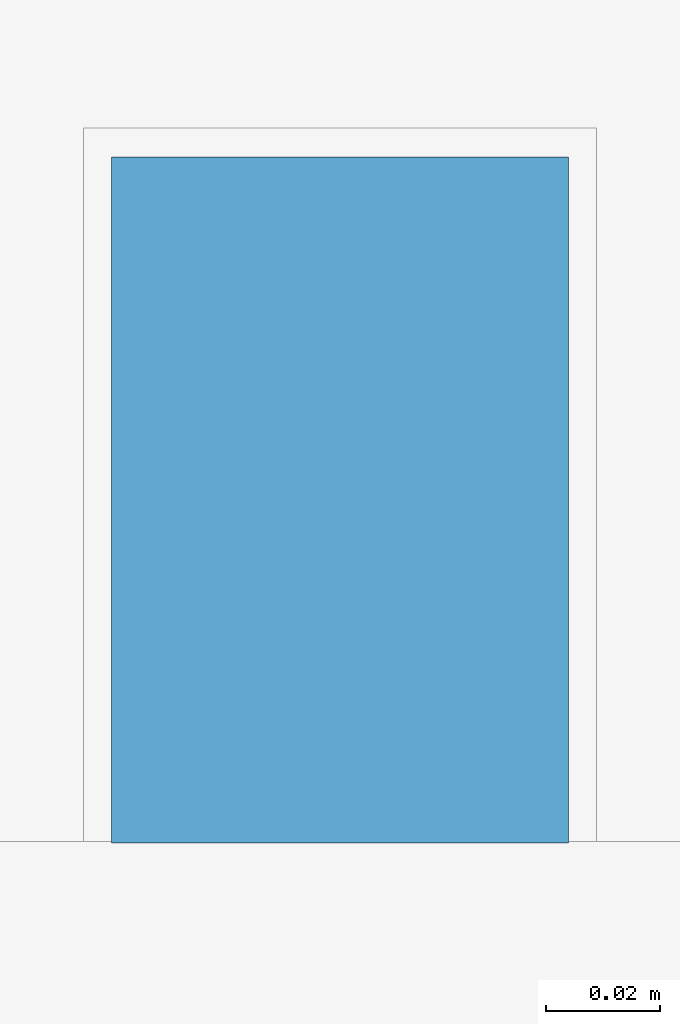
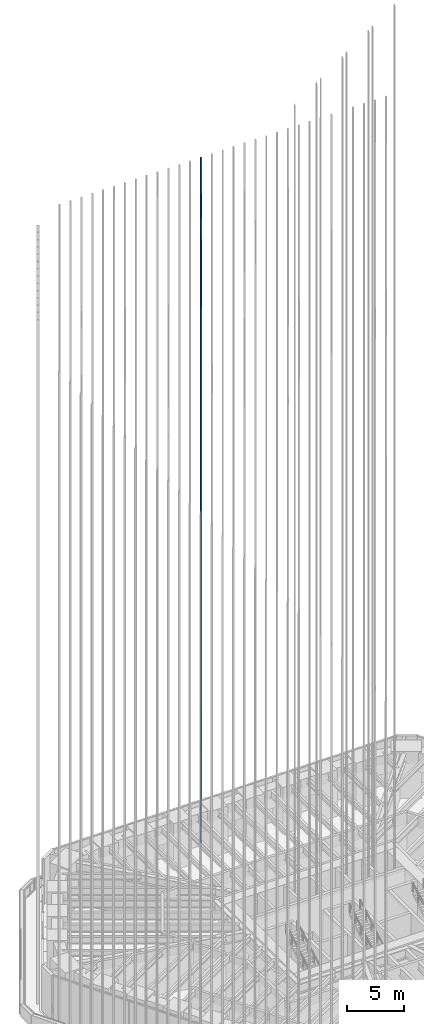
# One storey, part 171 of 228: 1 member, 1 element without a shape of its own.
"""IFC4 building model written with IfcOpenShell, lengths in metres."""

import ifcopenshell
import ifcopenshell.guid

model = None  # the IFC model being written
_history = None  # IfcOwnerHistory: only IFC2X3 demands one
_inside = {}  # id of a spatial element -> (the spatial element, [elements in it])
_under = {}  # id of a project, library or spatial element -> (it, [spatial elements below it])
_declared = {}  # id of a project -> (the project, [libraries it declares])
_typed = {}  # id of a type object -> (the type object, [elements of that type])
_made_of = {}  # id of a material, layer set ... -> (it, [elements and type objects made of it])


def new_model(schema):
    """Start an empty IFC model of exactly this schema.

    Asked for "IFC4X3", IfcOpenShell would pick the latest addendum, in which some entities
    have other attributes; the version numbers below select the first issue.
    IFC2X3 requires an IfcOwnerHistory on every rooted entity: one is made here for all.
    """
    global model, _history
    if schema == "IFC4X3":
        model = ifcopenshell.file(schema_version=(4, 3, 0, 0))
    else:
        model = ifcopenshell.file(schema=schema)
    _inside.clear()
    _under.clear()
    _declared.clear()
    _typed.clear()
    _made_of.clear()
    _history = None
    if model.schema == "IFC2X3":
        org = make("IfcOrganization", Name="unknown")
        user = make(
            "IfcPersonAndOrganization",
            ThePerson=make("IfcPerson", FamilyName="unknown"),
            TheOrganization=org,
        )
        app = make(
            "IfcApplication",
            ApplicationDeveloper=org,
            Version="unknown",
            ApplicationFullName="unknown",
            ApplicationIdentifier="unknown",
        )
        _history = make(
            "IfcOwnerHistory",
            OwningUser=user,
            OwningApplication=app,
            ChangeAction="ADDED",
            CreationDate=0,
        )
    return model


def make(cls, **values):
    """One entity of the class cls with the attributes given. An attribute that is None is left unset."""
    return model.create_entity(
        cls, **{name: value for name, value in values.items() if value is not None}
    )


def rooted(cls, **values):
    """An entity with a GlobalId (a new one), such as an element, a storey or a relation."""
    return make(cls, GlobalId=ifcopenshell.guid.new(), OwnerHistory=_history, **values)


def si_unit(unit_type, name, prefix=None):
    """IfcSIUnit, for example si_unit("LENGTHUNIT", "METRE", prefix="MILLI")."""
    return make("IfcSIUnit", UnitType=unit_type, Prefix=prefix, Name=name)


def assignment(units):
    """IfcUnitAssignment: the units of a project."""
    return None if units is None else make("IfcUnitAssignment", Units=units)


def point(xyz):
    """IfcCartesianPoint."""
    return None if xyz is None else make("IfcCartesianPoint", Coordinates=xyz)


def direction(xyz):
    """IfcDirection."""
    return None if xyz is None else make("IfcDirection", DirectionRatios=xyz)


def frame(location, z_axis=None, x_axis=None):
    """IfcAxis2Placement3D, a coordinate frame: its origin and axes. An axis left out is left unset."""
    return make(
        "IfcAxis2Placement3D",
        Location=point(location),
        Axis=direction(z_axis),
        RefDirection=direction(x_axis),
    )


def frame_2d(location, x_axis=None):
    """IfcAxis2Placement2D, a coordinate frame in the plane: its origin and x axis."""
    return make(
        "IfcAxis2Placement2D", Location=point(location), RefDirection=direction(x_axis)
    )


def origin():
    """The frame at (0, 0, 0) with its axes left unset."""
    return frame((0.0, 0.0, 0.0))


def origin_2d():
    """The frame at (0, 0) in the plane with its x axis left unset."""
    return frame_2d((0.0, 0.0))


def place(relative_to, where):
    """IfcLocalPlacement: puts the frame where relative to a parent placement (None: the world)."""
    return make(
        "IfcLocalPlacement", PlacementRelTo=relative_to, RelativePlacement=where
    )


def context(
    kind, dimensions, precision=None, world=None, true_north=None, identifier=None
):
    """IfcGeometricRepresentationContext, for example the 3D "Model" context."""
    return make(
        "IfcGeometricRepresentationContext",
        ContextIdentifier=identifier,
        ContextType=kind,
        CoordinateSpaceDimension=dimensions,
        Precision=precision,
        WorldCoordinateSystem=world,
        TrueNorth=true_north,
    )


def subcontext(parent, identifier, kind, view, scale=None):
    """IfcGeometricRepresentationSubContext, for example "Body" below "Model"."""
    return make(
        "IfcGeometricRepresentationSubContext",
        ContextIdentifier=identifier,
        ContextType=kind,
        ParentContext=parent,
        TargetScale=scale,
        TargetView=view,
    )


def project(units=None, contexts=None):
    """IfcProject with its units and contexts."""
    return rooted(
        "IfcProject",
        Name="project",
        RepresentationContexts=contexts,
        UnitsInContext=assignment(units),
    )


def spatial(cls, under=None, at=None, **own):
    """A site, building, storey or space (cls), placed at a placement, below another one or the project."""
    s = rooted(cls, ObjectPlacement=at, **own)
    if under is not None:
        _under.setdefault(under.id(), (under, []))[1].append(s)
    return s


def profile(cls, at=None, kind="AREA", **sizes):
    """A parametric profile (cls). Its sizes go by their IFC names, for example OverallWidth=200.0."""
    return make(cls, ProfileType=kind, Position=at, **sizes)


def rectangle(**sizes):
    """IfcRectangleProfileDef."""
    return profile("IfcRectangleProfileDef", **sizes)


def extrude(swept, where, along, depth):
    """IfcExtrudedAreaSolid: the profile swept, set in the frame where, extruded along a direction by depth."""
    return make(
        "IfcExtrudedAreaSolid",
        SweptArea=swept,
        Position=where,
        ExtrudedDirection=direction(along),
        Depth=depth,
    )


def shape(context_of_items, identifier, shape_type, items):
    """IfcShapeRepresentation: the items that make up one representation, for example the "Body"."""
    return make(
        "IfcShapeRepresentation",
        ContextOfItems=context_of_items,
        RepresentationIdentifier=identifier,
        RepresentationType=shape_type,
        Items=items,
    )


def material(Name=None, Category=None):
    """IfcMaterial."""
    return make("IfcMaterial", Name=Name, Category=Category)


def material_profile(
    of_material, cross_section, Name=None, Category=None, Priority=None
):
    """IfcMaterialProfile: a cross section and its material."""
    return make(
        "IfcMaterialProfile",
        Name=Name,
        Material=of_material,
        Profile=cross_section,
        Priority=Priority,
        Category=Category,
    )


def profile_set(profiles, Name=None, composite=None):
    """IfcMaterialProfileSet."""
    return make(
        "IfcMaterialProfileSet",
        Name=Name,
        MaterialProfiles=profiles,
        CompositeProfile=composite,
    )


def made_of(thing, what):
    """Note that an element or type object is made of a material, layer set ...; save() writes the relation."""
    if what is not None:
        _made_of.setdefault(what.id(), (what, []))[1].append(thing)
    return thing


def type_object(cls, material=None, **own):
    """A type object (cls), such as IfcWallType, which elements share."""
    return made_of(rooted(cls, **own), material)


def element(
    cls,
    number,
    at=None,
    inside=None,
    cuts=None,
    type_object=None,
    material=None,
    context=None,
    identifier="Body",
    shape_type=None,
    held_by="IfcProductDefinitionShape",
    body=None,
    shapes=None,
    **own,
):
    """One element of the class cls, such as IfcWall. Its Tag is "e" and its number.

    at: its placement. inside: the storey or other place that contains it. cuts: it is an
    opening in that element (IfcRelVoidsElement). A single representation is given by context,
    identifier, shape_type and body (its items); several are given by shapes. held_by: the class
    of the entity that holds the representations. save() writes the other relations.
    """
    e = rooted(cls, Tag="e%d" % number, ObjectPlacement=at, **own)
    if body is not None:
        shapes = [shape(context, identifier, shape_type, body)]
    if shapes is not None:
        e.Representation = make(held_by, Representations=shapes)
    if inside is not None:
        _inside.setdefault(inside.id(), (inside, []))[1].append(e)
    if cuts is not None:
        rooted(
            "IfcRelVoidsElement", RelatingBuildingElement=cuts, RelatedOpeningElement=e
        )
    if type_object is not None:
        _typed.setdefault(type_object.id(), (type_object, []))[1].append(e)
    return made_of(e, material)


def aggregate(whole, parts):
    """IfcRelAggregates: a whole, such as a stair, and the parts it consists of."""
    return rooted("IfcRelAggregates", RelatingObject=whole, RelatedObjects=parts)


def save(model, path):
    """Write the relations noted so far, then the file.

    IfcRelAggregates (storeys below a building ...), IfcRelContainedInSpatialStructure (elements
    in a storey), IfcRelDefinesByType, IfcRelAssociatesMaterial and IfcRelDeclares: one each for
    every whole, place, type object, material and project.
    """
    for whole, parts in _under.values():
        aggregate(whole, parts)
    for where, things in _inside.values():
        rooted(
            "IfcRelContainedInSpatialStructure",
            RelatedElements=things,
            RelatingStructure=where,
        )
    for kind, things in _typed.values():
        rooted("IfcRelDefinesByType", RelatedObjects=things, RelatingType=kind)
    for what, things in _made_of.values():
        rooted("IfcRelAssociatesMaterial", RelatedObjects=things, RelatingMaterial=what)
    for by, libraries in _declared.values():
        rooted("IfcRelDeclares", RelatingContext=by, RelatedDefinitions=libraries)
    model.write(path)


model = new_model("IFC4")

# Units and contexts
model_context = context("Model", 3, precision=1e-05, world=origin(), true_north=direction((0.0, 1.0)))
body_context = subcontext(model_context, "Body", "Model", "MODEL_VIEW")
ifc_project = project(units=[si_unit("LENGTHUNIT", "METRE"), si_unit("AREAUNIT", "SQUARE_METRE"), si_unit("VOLUMEUNIT", "CUBIC_METRE"), si_unit("PLANEANGLEUNIT", "RADIAN"), si_unit("MASSUNIT", "GRAM", prefix="KILO")], contexts=[model_context])

# Site, building, storey
site_placement = place(None, origin())
site = spatial("IfcSite", under=ifc_project, at=site_placement, CompositionType="ELEMENT")
building_placement = place(site_placement, origin())
building = spatial("IfcBuilding", under=site, at=building_placement, Name="Sandreach Pilgrim Tower", CompositionType="ELEMENT")
storey_placement = place(building_placement, frame((0.0, 0.0, 178.199951171875)))
storey = spatial("IfcBuildingStorey", under=building, at=storey_placement, Name="L44", CompositionType="ELEMENT", Elevation=178.199951171875)

# Curtain wall, member
ifc_material_1 = material(Name="Aluminium framed curtain wall", Category="aluminium")
curtain_wall_type = type_object("IfcCurtainWallType", Name="Upper hotel tower curtain wall", PredefinedType="NOTDEFINED", material=ifc_material_1)
curtain_wall_placement = place(storey_placement, origin())
curtain_wall = element("IfcCurtainWall", 1, at=curtain_wall_placement, inside=storey, type_object=curtain_wall_type, Name="CW-3 L44 N", PredefinedType="NOTDEFINED")
ifc_material_2 = material(Name="Extruded terracotta on aluminium core", Category="masonry")
ifc_material_profile = material_profile(ifc_material_2, rectangle(XDim=0.080078125, YDim=0.1201171875, at=origin_2d()), Name="TBN 80X120")
ifc_profile_set = profile_set([ifc_material_profile], Name="Extruded terracotta on aluminium core")
member_type = type_object("IfcMemberType", Name="Terracotta baguette north", PredefinedType="USERDEFINED", material=ifc_profile_set)
member_placement = place(storey_placement, frame((-2.19970703125, 21.52001953125, 0.0), z_axis=(0.0, 0.0, 1.0), x_axis=(1.0, 0.0, 0.0)))
member = element("IfcMember", 2, at=member_placement, type_object=member_type, Name="Baguette Z3 N14", ObjectType="BAGUETTE", PredefinedType="USERDEFINED", context=body_context, shape_type="SweptSolid", body=[
    extrude(rectangle(XDim=0.080078125, YDim=0.1201171875, at=origin_2d()), origin(), (0.0, 0.0, 1.0), 73.239990234375),
])
aggregate(curtain_wall, [member])

save(model, "model.ifc")
